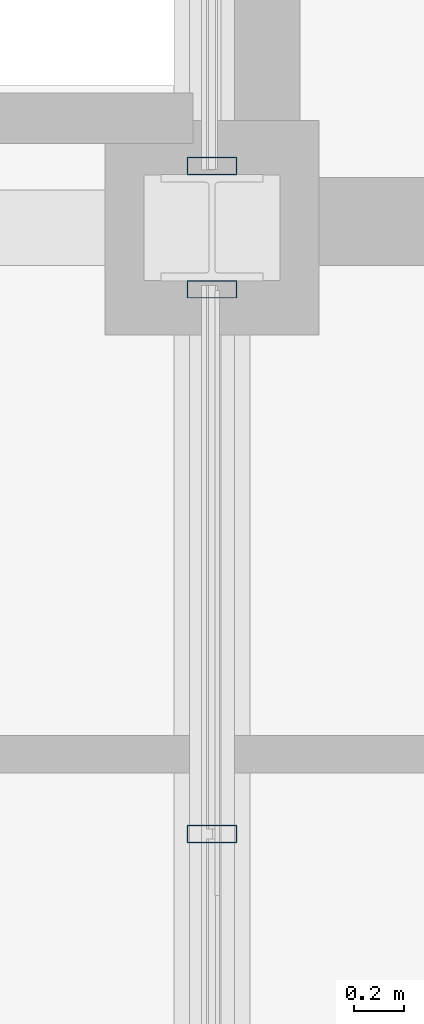
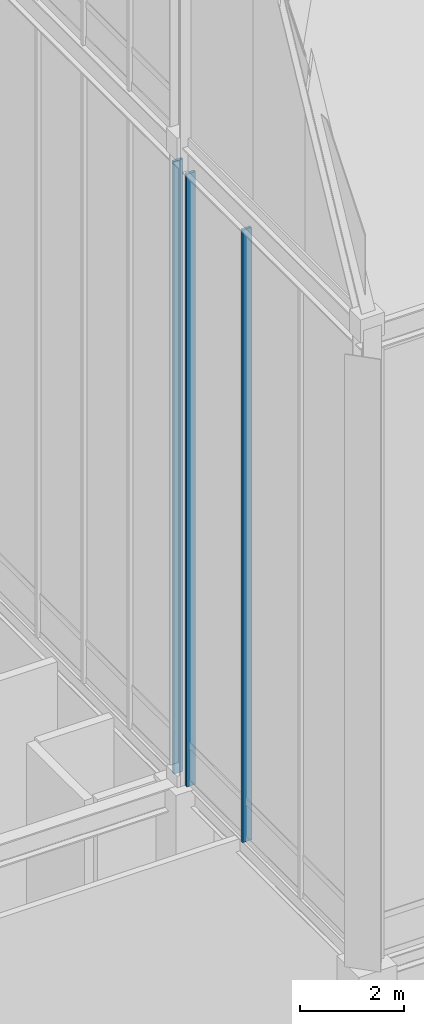
# One storey, part 4 of 49: 3 members, 2 elements without a shape of their own.
"""IFC4 building model written with IfcOpenShell, lengths in metres."""

from ifc_helpers import new_model, si_unit, direction, frame, origin, origin_2d, place, context, subcontext, project, spatial, hollow_rectangle, extrude, source, transform, mapped, material, layer, layer_set, material_profile, profile_set, type_object, element, aggregate, save


model = new_model("IFC4")

# Units and contexts
model_context = context("Model", 3, precision=1e-05, world=origin(), true_north=direction((0.0, 1.0)))
body_context = subcontext(model_context, "Body", "Model", "MODEL_VIEW")
ifc_project = project(units=[si_unit("LENGTHUNIT", "METRE"), si_unit("AREAUNIT", "SQUARE_METRE"), si_unit("VOLUMEUNIT", "CUBIC_METRE"), si_unit("PLANEANGLEUNIT", "RADIAN"), si_unit("MASSUNIT", "GRAM", prefix="KILO")], contexts=[model_context])

# Site, building, storey
site_placement = place(None, origin())
site = spatial("IfcSite", under=ifc_project, at=site_placement, CompositionType="ELEMENT")
building_placement = place(site_placement, origin())
building = spatial("IfcBuilding", under=site, at=building_placement, Name="Kaliganga Portal Commons", CompositionType="ELEMENT")
storey_placement = place(building_placement, frame((0.0, 0.0, 298.0)))
storey = spatial("IfcBuildingStorey", under=building, at=storey_placement, Name="L77", CompositionType="ELEMENT", Elevation=298.0)

# Curtain wall, members
ifc_material_1 = material(Name="Anodized Aluminium and Laminated Low-E Glass", Category="aluminium")
ifc_layer = layer(ifc_material_1, 0.25)
ifc_layer_set = layer_set([ifc_layer], Name="Anodized Aluminium and Laminated Low-E Glass")
curtain_wall_type = type_object("IfcCurtainWallType", Name="CW-SYS-06", PredefinedType="NOTDEFINED", material=ifc_layer_set)
curtain_wall_1_placement = place(storey_placement, origin())
curtain_wall_1 = element("IfcCurtainWall", 1, at=curtain_wall_1_placement, inside=storey, type_object=curtain_wall_type, Name="CW 06 L77 WS", PredefinedType="NOTDEFINED")
ifc_material_2 = material(Name="Dark Bronze Anodized Aluminium", Category="aluminium")
ifc_material_profile = material_profile(ifc_material_2, hollow_rectangle(XDim=0.070068359375, YDim=0.199951171875, WallThickness=0.00390625, at=origin_2d()), Name="ALU MULL 70x200x4")
ifc_profile_set = profile_set([ifc_material_profile], Name="Dark Bronze Anodized Aluminium")
member_type = type_object("IfcMemberType", Name="CW-MUL-220", PredefinedType="MULLION", material=ifc_profile_set)
shared_shape = source(origin(), body_context, "Body", "SweptSolid", [
    extrude(hollow_rectangle(XDim=0.070068359375, YDim=0.199951171875, WallThickness=0.00390625, at=origin_2d()), origin(), (0.0, 0.0, 1.0), 14.39990234375),
])
member_1_placement = place(storey_placement, frame((14.39990234375, 26.243408203125, 6.0), z_axis=(0.0, 0.0, 1.0), x_axis=(0.0, 1.0, 0.0)))
member_1 = element("IfcMember", 2, at=member_1_placement, type_object=member_type, Name="CW:06:L77:WS Mullion 02", PredefinedType="MULLION", context=body_context, shape_type="MappedRepresentation", body=[
    mapped(shared_shape, transform((0.0, 0.0, 0.0), x_axis=(1.0, 0.0, 0.0), y_axis=(0.0, 1.0, 0.0), z_axis=(0.0, 0.0, 1.0), scale=1.0)),
])
member_2_placement = place(storey_placement, frame((14.39990234375, 28.405029296875, 6.0), z_axis=(0.0, 0.0, 1.0), x_axis=(0.0, 1.0, 0.0)))
member_2 = element("IfcMember", 3, at=member_2_placement, type_object=member_type, Name="CW:06:L77:WS Mullion 03", PredefinedType="MULLION", context=body_context, shape_type="MappedRepresentation", body=[
    mapped(shared_shape, transform((0.0, 0.0, 0.0), x_axis=(1.0, 0.0, 0.0), y_axis=(0.0, 1.0, 0.0), z_axis=(0.0, 0.0, 1.0), scale=1.0)),
])
aggregate(curtain_wall_1, [member_1, member_2])

# Curtain wall, member
curtain_wall_2_placement = place(storey_placement, origin())
curtain_wall_2 = element("IfcCurtainWall", 4, at=curtain_wall_2_placement, inside=storey, type_object=curtain_wall_type, Name="CW 06 L77 W", PredefinedType="NOTDEFINED")
member_3_placement = place(storey_placement, frame((14.39990234375, 28.89501953125, 6.0), z_axis=(0.0, 0.0, 1.0), x_axis=(0.0, 1.0, 0.0)))
member_3 = element("IfcMember", 5, at=member_3_placement, type_object=member_type, Name="CW:06:L77:W Mullion 00", PredefinedType="MULLION", context=body_context, shape_type="MappedRepresentation", body=[
    mapped(shared_shape, transform((0.0, 0.0, 0.0), x_axis=(1.0, 0.0, 0.0), y_axis=(0.0, 1.0, 0.0), z_axis=(0.0, 0.0, 1.0), scale=1.0)),
])
aggregate(curtain_wall_2, [member_3])

save(model, "model.ifc")
